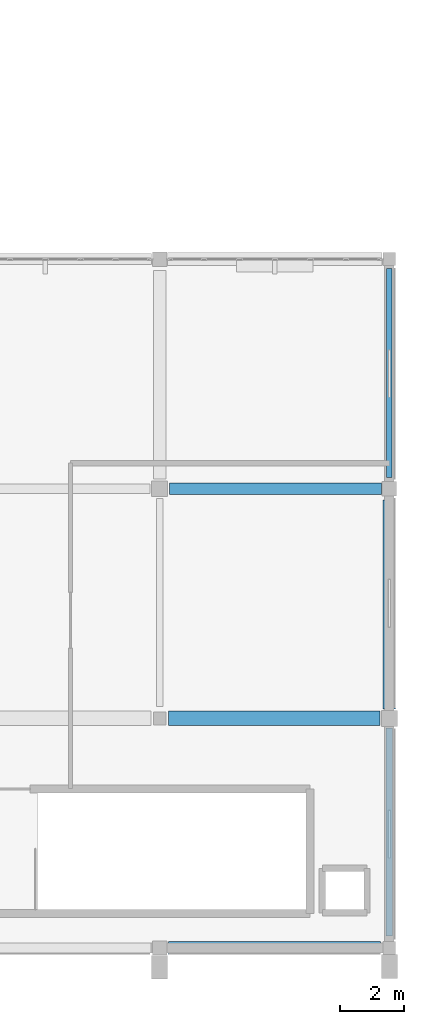
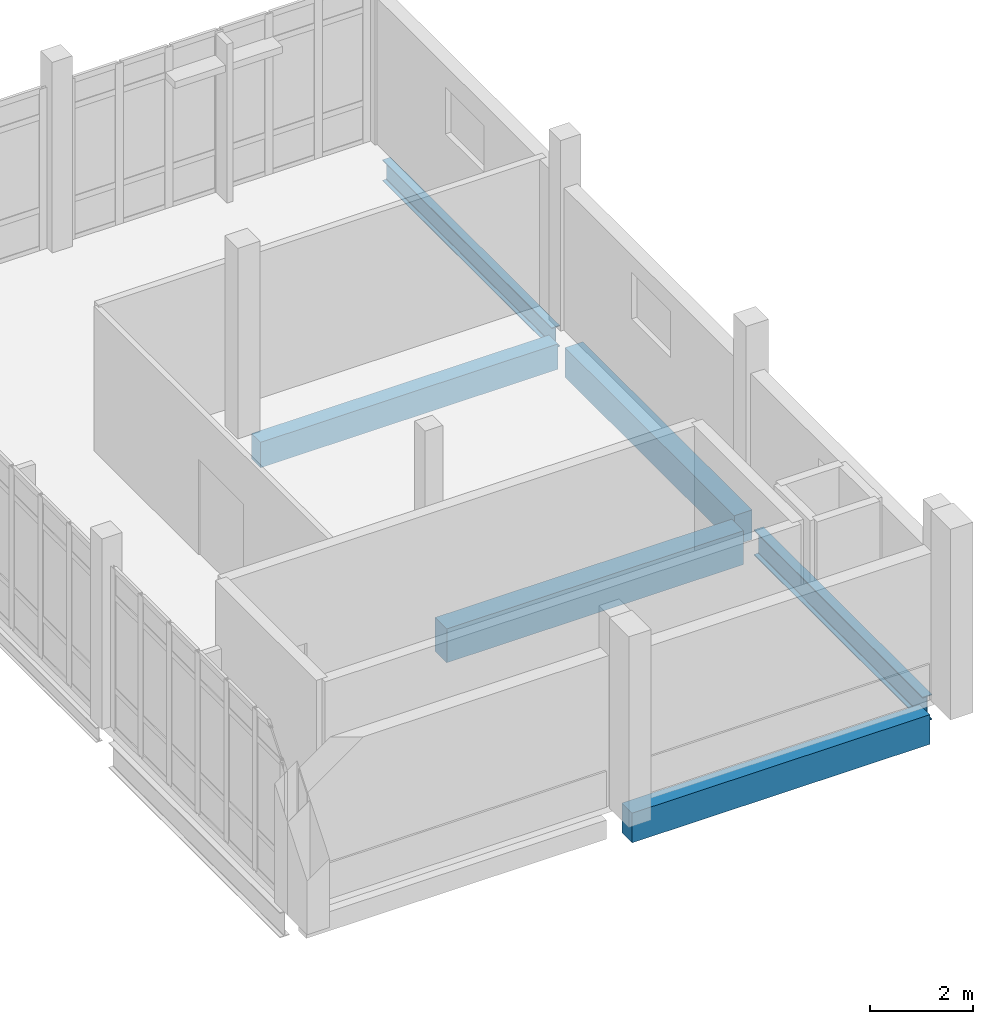
# One storey, part 52 of 116: 6 beams.
"""IFC4 building model written with IfcOpenShell, lengths in metres."""

from ifc_helpers import new_model, si_unit, direction, frame, origin, origin_2d, place, context, subcontext, project, spatial, rectangle, i_section, extrude, material, material_profile, profile_set, type_object, element, save


model = new_model("IFC4")

# Units and contexts
model_context = context("Model", 3, precision=1e-05, world=origin(), true_north=direction((0.0, 1.0)))
body_context = subcontext(model_context, "Body", "Model", "MODEL_VIEW")
ifc_project = project(units=[si_unit("LENGTHUNIT", "METRE"), si_unit("AREAUNIT", "SQUARE_METRE"), si_unit("VOLUMEUNIT", "CUBIC_METRE"), si_unit("PLANEANGLEUNIT", "RADIAN"), si_unit("MASSUNIT", "GRAM", prefix="KILO")], contexts=[model_context])

# Site, building, storey
site_placement = place(None, origin())
site = spatial("IfcSite", under=ifc_project, at=site_placement, CompositionType="ELEMENT")
building_placement = place(site_placement, origin())
building = spatial("IfcBuilding", under=site, at=building_placement, Name="Kalluvel Institute of Natural Sciences", CompositionType="ELEMENT")
storey_placement = place(building_placement, frame((0.0, 0.0, 14.39990234375)))
storey = spatial("IfcBuildingStorey", under=building, at=storey_placement, Name="L03", CompositionType="ELEMENT", Elevation=14.39990234375)

# Beams
ifc_material_1 = material(Name="Steel E350 Grade 350", Category="steel")
ifc_material_profile_1 = material_profile(ifc_material_1, i_section(OverallWidth=0.179931640625, OverallDepth=0.5, WebThickness=0.01025390625, FlangeThickness=0.01708984375, FilletRadius=0.01708984375, at=origin_2d()), Name="ISMB 500")
ifc_profile_set_1 = profile_set([ifc_material_profile_1], Name="Steel E350 Grade 350")
beam_type_1 = type_object("IfcBeamType", Name="BM-ISMB500", PredefinedType="BEAM", material=ifc_profile_set_1)
beam_1_placement = place(storey_placement, frame((114.800048828125, 28.75, -0.56982421875), z_axis=(0.0, 1.0, 0.0), x_axis=(-1.0, 0.0, 0.0)))
element("IfcBeam", 1, at=beam_1_placement, inside=storey, type_object=beam_type_1, Name="L03 girder GIR-L03-NS-X1148-Y284", PredefinedType="BEAM", context=body_context, shape_type="SweptSolid", body=[
    extrude(i_section(OverallWidth=0.179931640625, OverallDepth=0.5, WebThickness=0.01025390625, FlangeThickness=0.01708984375, FilletRadius=0.01708984375, at=origin_2d()), origin(), (0.0, 0.0, 1.0), 6.550048828125),
])
ifc_material_profile_2 = material_profile(ifc_material_1, i_section(OverallWidth=0.2099609375, OverallDepth=0.60009765625, WebThickness=0.011962890625, FlangeThickness=0.020751953125, FilletRadius=0.02001953125, at=origin_2d()), Name="ISMB 600")
ifc_profile_set_2 = profile_set([ifc_material_profile_2], Name="Steel E350 Grade 350")
beam_type_2 = type_object("IfcBeamType", Name="BM-ISMB600", PredefinedType="BEAM", material=ifc_profile_set_2)
beam_2_placement = place(storey_placement, frame((114.800048828125, 14.375, -0.619873046875), z_axis=(0.0, 1.0, 0.0), x_axis=(-1.0, 0.0, 0.0)))
element("IfcBeam", 2, at=beam_2_placement, inside=storey, type_object=beam_type_2, Name="L03 girder GIR-L03-NS-X1148-Y140", PredefinedType="BEAM", context=body_context, shape_type="SweptSolid", body=[
    extrude(i_section(OverallWidth=0.2099609375, OverallDepth=0.60009765625, WebThickness=0.011962890625, FlangeThickness=0.020751953125, FilletRadius=0.02001953125, at=origin_2d()), origin(), (0.0, 0.0, 1.0), 6.52490234375),
])
ifc_material_2 = material(Name="Concrete M40", Category="concrete")
ifc_material_profile_3 = material_profile(ifc_material_2, rectangle(XDim=0.39990234375, YDim=0.699951171875, at=origin_2d()), Name="RCB 400x700")
ifc_profile_set_3 = profile_set([ifc_material_profile_3], Name="Concrete M40")
beam_type_3 = type_object("IfcBeamType", Name="BM-RC400x700", PredefinedType="BEAM", material=ifc_profile_set_3)
beam_3_placement = place(storey_placement, frame((114.800048828125, 21.5, -0.669921875), z_axis=(0.0, 1.0, 0.0), x_axis=(-1.0, 0.0, 0.0)))
element("IfcBeam", 3, at=beam_3_placement, inside=storey, type_object=beam_type_3, Name="L03 girder GIR-L03-NS-X1148-Y212", PredefinedType="BEAM", context=body_context, shape_type="SweptSolid", body=[
    extrude(rectangle(XDim=0.39990234375, YDim=0.699951171875, at=origin_2d()), origin(), (0.0, 0.0, 1.0), 6.550048828125),
])
ifc_material_profile_4 = material_profile(ifc_material_2, rectangle(XDim=0.449951171875, YDim=0.800048828125, at=origin_2d()), Name="RCB 450x800")
ifc_profile_set_4 = profile_set([ifc_material_profile_4], Name="Concrete M40")
beam_type_4 = type_object("IfcBeamType", Name="BM-RC450x800", PredefinedType="BEAM", material=ifc_profile_set_4)
beam_4_placement = place(storey_placement, frame((107.875, 21.199951171875, -0.719970703125), z_axis=(1.0, 0.0, 0.0), x_axis=(0.0, 1.0, 0.0)))
element("IfcBeam", 4, at=beam_4_placement, inside=storey, type_object=beam_type_4, Name="L03 girder GIR-L03-EW-X1076-Y212", PredefinedType="BEAM", context=body_context, shape_type="SweptSolid", body=[
    extrude(rectangle(XDim=0.449951171875, YDim=0.800048828125, at=origin_2d()), origin(), (0.0, 0.0, 1.0), 6.625),
])
ifc_material_profile_5 = material_profile(ifc_material_2, rectangle(XDim=0.35009765625, YDim=0.60009765625, at=origin_2d()), Name="RCB 350x600")
ifc_profile_set_5 = profile_set([ifc_material_profile_5], Name="Concrete M40")
beam_type_5 = type_object("IfcBeamType", Name="SP-RC350x600", PredefinedType="SPANDREL", material=ifc_profile_set_5)
beam_5_placement = place(storey_placement, frame((107.89990234375, 28.39990234375, -0.619873046875), z_axis=(1.0, 0.0, 0.0), x_axis=(0.0, 1.0, 0.0)))
element("IfcBeam", 5, at=beam_5_placement, inside=storey, type_object=beam_type_5, Name="L03 girder GIR-L03-EW-X1076-Y284", PredefinedType="SPANDREL", context=body_context, shape_type="SweptSolid", body=[
    extrude(rectangle(XDim=0.35009765625, YDim=0.60009765625, at=origin_2d()), origin(), (0.0, 0.0, 1.0), 6.650146484375),
])
ifc_material_profile_6 = material_profile(ifc_material_2, rectangle(XDim=0.39990234375, YDim=0.699951171875, at=origin_2d()), Name="RCB 400x700")
ifc_profile_set_6 = profile_set([ifc_material_profile_6], Name="Concrete M40")
beam_type_6 = type_object("IfcBeamType", Name="SP-RC400x700", PredefinedType="SPANDREL", material=ifc_profile_set_6)
beam_6_placement = place(storey_placement, frame((107.875, 14.0, -0.669921875), z_axis=(1.0, 0.0, 0.0), x_axis=(0.0, 1.0, 0.0)))
element("IfcBeam", 6, at=beam_6_placement, inside=storey, type_object=beam_type_6, Name="L03 girder GIR-L03-EW-X1076-Y140", PredefinedType="SPANDREL", context=body_context, shape_type="SweptSolid", body=[
    extrude(rectangle(XDim=0.39990234375, YDim=0.699951171875, at=origin_2d()), origin(), (0.0, 0.0, 1.0), 6.64990234375),
])

save(model, "model.ifc")
